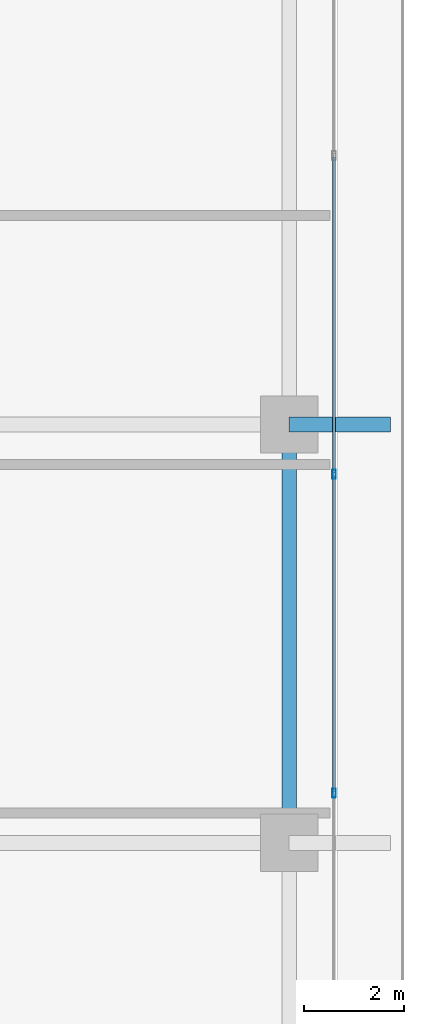
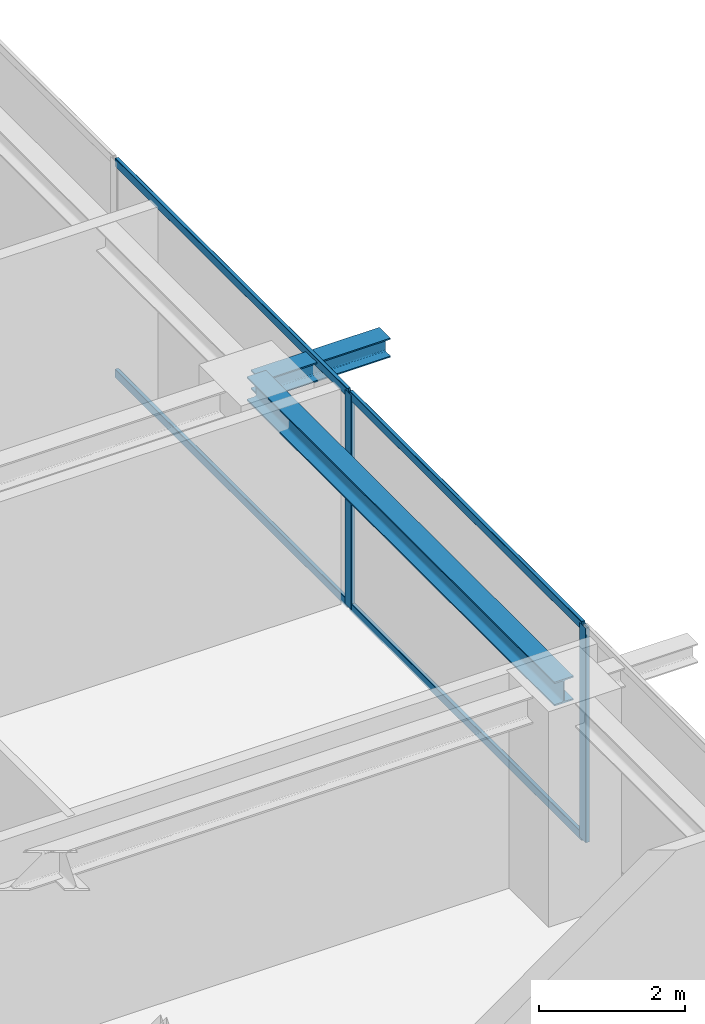
# One storey, part 16 of 40: 6 members, 2 beams, 1 element without a shape of its own.
"""IFC4 building model written with IfcOpenShell, lengths in metres."""

from ifc_helpers import new_model, si_unit, direction, frame, origin, origin_2d, place, context, subcontext, project, spatial, hollow_rectangle, i_section, extrude, source, transform, mapped, material, layer, layer_set, material_profile, profile_set, type_object, element, aggregate, save


model = new_model("IFC4")

# Units and contexts
model_context = context("Model", 3, precision=1e-05, world=origin(), true_north=direction((0.0, 1.0)))
body_context = subcontext(model_context, "Body", "Model", "MODEL_VIEW")
ifc_project = project(units=[si_unit("LENGTHUNIT", "METRE"), si_unit("AREAUNIT", "SQUARE_METRE"), si_unit("VOLUMEUNIT", "CUBIC_METRE"), si_unit("PLANEANGLEUNIT", "RADIAN"), si_unit("MASSUNIT", "GRAM", prefix="KILO")], contexts=[model_context])

# Site, building, storey
site_placement = place(None, origin())
site = spatial("IfcSite", under=ifc_project, at=site_placement, CompositionType="ELEMENT")
building_placement = place(site_placement, origin())
building = spatial("IfcBuilding", under=site, at=building_placement, Name="Serunith Strait Residences", CompositionType="ELEMENT")
storey_placement = place(building_placement, frame((0.0, 0.0, 252.800048828125)))
storey = spatial("IfcBuildingStorey", under=building, at=storey_placement, Name="L63", CompositionType="ELEMENT", Elevation=252.800048828125)

# Beams
ifc_material_1 = material(Name="Steel S355J2", Category="steel")
ifc_material_profile_1 = material_profile(ifc_material_1, i_section(OverallWidth=0.300048828125, OverallDepth=0.39990234375, WebThickness=0.013427734375, FlangeThickness=0.02392578125, FilletRadius=0.027099609375, at=origin_2d()), Name="HEB 400")
ifc_profile_set_1 = profile_set([ifc_material_profile_1], Name="Steel S355J2")
beam_type_1 = type_object("IfcBeamType", Name="BM-HEB400", PredefinedType="BEAM", material=ifc_profile_set_1)
shared_shape_1 = source(origin(), body_context, "Body", "SweptSolid", [
    extrude(i_section(OverallWidth=0.300048828125, OverallDepth=0.39990234375, WebThickness=0.013427734375, FlangeThickness=0.02392578125, FilletRadius=0.027099609375, at=origin_2d()), origin(), (0.0, 0.0, 1.0), 8.39990234375),
])
beam_1_placement = place(storey_placement, frame((56.5, 21.0, 3.386962890625), z_axis=(0.0, 1.0, 0.0), x_axis=(-1.0, 0.0, 0.0)))
element("IfcBeam", 1, at=beam_1_placement, inside=storey, type_object=beam_type_1, Name="L63 Perimeter Ring Beam 06", PredefinedType="BEAM", context=body_context, shape_type="MappedRepresentation", body=[
    mapped(shared_shape_1, transform((0.0, 0.0, 0.0), scale=1.0)),
])
ifc_material_profile_2 = material_profile(ifc_material_1, i_section(OverallWidth=0.300048828125, OverallDepth=0.320068359375, WebThickness=0.011474609375, FlangeThickness=0.0205078125, FilletRadius=0.027099609375, at=origin_2d()), Name="HEB 320")
ifc_profile_set_2 = profile_set([ifc_material_profile_2], Name="Steel S355J2")
beam_type_2 = type_object("IfcBeamType", Name="BM-HEB320", PredefinedType="BEAM", material=ifc_profile_set_2)
shared_shape_2 = source(origin(), body_context, "Body", "SweptSolid", [
    extrude(i_section(OverallWidth=0.300048828125, OverallDepth=0.320068359375, WebThickness=0.011474609375, FlangeThickness=0.0205078125, FilletRadius=0.027099609375, at=origin_2d()), origin(), (0.0, 0.0, 1.0), 2.030029296875),
])
beam_2_placement = place(storey_placement, frame((56.5, 29.39990234375, 3.39697265625), z_axis=(1.0, 0.0, 0.0), x_axis=(0.0, 1.0, 0.0)))
element("IfcBeam", 2, at=beam_2_placement, inside=storey, type_object=beam_type_2, Name="L64 Cantilevered Balcony Rib TC-E3", PredefinedType="BEAM", context=body_context, shape_type="MappedRepresentation", body=[
    mapped(shared_shape_2, transform((0.0, 0.0, 0.0), scale=1.0)),
])

# Curtain wall, members
ifc_material_2 = material(Name="Pale-Champagne Anodised Aluminium", Category="aluminium")
ifc_layer = layer(ifc_material_2, 0.199951171875, Name="Pale-Champagne Anodised Aluminium")
ifc_layer_set = layer_set([ifc_layer], Name="Pale-Champagne Anodised Aluminium")
curtain_wall_type = type_object("IfcCurtainWallType", Name="CW-SYS4", PredefinedType="NOTDEFINED", material=ifc_layer_set)
curtain_wall_placement = place(storey_placement, origin())
curtain_wall = element("IfcCurtainWall", 3, at=curtain_wall_placement, inside=storey, type_object=curtain_wall_type, Name="L63 E Unitised Fritted Curtain Wall", PredefinedType="NOTDEFINED")
ifc_material_profile_3 = material_profile(ifc_material_2, hollow_rectangle(XDim=0.06494140625, YDim=0.179931640625, WallThickness=0.00341796875, InnerFilletRadius=0.00537109375, OuterFilletRadius=0.0087890625, at=origin_2d()), Name="ALU 180x65x3.5")
ifc_profile_set_3 = profile_set([ifc_material_profile_3], Name="Pale-Champagne Anodised Aluminium")
member_type_1 = type_object("IfcMemberType", Name="CW-SYS4-MULL", PredefinedType="MULLION", material=ifc_profile_set_3)
shared_shape_3 = source(origin(), body_context, "Body", "SweptSolid", [
    extrude(hollow_rectangle(XDim=0.06494140625, YDim=0.179931640625, WallThickness=0.00341796875, InnerFilletRadius=0.00537109375, OuterFilletRadius=0.0087890625, at=origin_2d()), origin(), (0.0, 0.0, 1.0), 3.574951171875),
])
member_1_placement = place(storey_placement, frame((57.39990234375, 22.0, 0.0), z_axis=(0.0, 0.0, 1.0), x_axis=(-1.0, 0.0, 0.0)))
member_1 = element("IfcMember", 4, at=member_1_placement, type_object=member_type_1, Name="CW-4 mullion 3", PredefinedType="MULLION", context=body_context, shape_type="MappedRepresentation", body=[
    mapped(shared_shape_3, transform((0.0, 0.0, 0.0), scale=1.0)),
])
member_2_placement = place(storey_placement, frame((57.39990234375, 28.39990234375, 0.0), z_axis=(0.0, 0.0, 1.0), x_axis=(-1.0, 0.0, 0.0)))
member_2 = element("IfcMember", 5, at=member_2_placement, type_object=member_type_1, Name="CW-4 mullion 4", PredefinedType="MULLION", context=body_context, shape_type="MappedRepresentation", body=[
    mapped(shared_shape_3, transform((0.0, 0.0, 0.0), scale=1.0)),
])
ifc_material_profile_4 = material_profile(ifc_material_2, hollow_rectangle(XDim=0.06005859375, YDim=0.139892578125, WallThickness=0.00341796875, InnerFilletRadius=0.00537109375, OuterFilletRadius=0.0087890625, at=origin_2d()), Name="ALU 140x60x3.5")
ifc_profile_set_4 = profile_set([ifc_material_profile_4], Name="Pale-Champagne Anodised Aluminium")
member_type_2 = type_object("IfcMemberType", Name="CW-SYS4-TRAN", PredefinedType="USERDEFINED", material=ifc_profile_set_4)
shared_shape_4 = source(origin(), body_context, "Body", "SweptSolid", [
    extrude(hollow_rectangle(XDim=0.06005859375, YDim=0.139892578125, WallThickness=0.00341796875, InnerFilletRadius=0.00537109375, OuterFilletRadius=0.0087890625, at=origin_2d()), origin(), (0.0, 0.0, 1.0), 6.3349609375),
])
member_3_placement = place(storey_placement, frame((57.39990234375, 22.032470703125, 0.030029296875), z_axis=(0.0, 1.0, 0.0), x_axis=(-1.0, 0.0, 0.0)))
member_3 = element("IfcMember", 6, at=member_3_placement, type_object=member_type_2, Name="CW-4 transom 3.1", ObjectType="TRANSOM", PredefinedType="USERDEFINED", context=body_context, shape_type="MappedRepresentation", body=[
    mapped(shared_shape_4, transform((0.0, 0.0, 0.0), scale=1.0)),
])
member_4_placement = place(storey_placement, frame((57.39990234375, 22.032470703125, 3.544921875), z_axis=(0.0, 1.0, 0.0), x_axis=(-1.0, 0.0, 0.0)))
member_4 = element("IfcMember", 7, at=member_4_placement, type_object=member_type_2, Name="CW-4 transom 3.2", ObjectType="TRANSOM", PredefinedType="USERDEFINED", context=body_context, shape_type="MappedRepresentation", body=[
    mapped(shared_shape_4, transform((0.0, 0.0, 0.0), scale=1.0)),
])
member_5_placement = place(storey_placement, frame((57.39990234375, 28.4326171875, 0.030029296875), z_axis=(0.0, 1.0, 0.0), x_axis=(-1.0, 0.0, 0.0)))
member_5 = element("IfcMember", 8, at=member_5_placement, type_object=member_type_2, Name="CW-4 transom 4.1", ObjectType="TRANSOM", PredefinedType="USERDEFINED", context=body_context, shape_type="MappedRepresentation", body=[
    mapped(shared_shape_4, transform((0.0, 0.0, 0.0), scale=1.0)),
])
member_6_placement = place(storey_placement, frame((57.39990234375, 28.4326171875, 3.544921875), z_axis=(0.0, 1.0, 0.0), x_axis=(-1.0, 0.0, 0.0)))
member_6 = element("IfcMember", 9, at=member_6_placement, type_object=member_type_2, Name="CW-4 transom 4.2", ObjectType="TRANSOM", PredefinedType="USERDEFINED", context=body_context, shape_type="MappedRepresentation", body=[
    mapped(shared_shape_4, transform((0.0, 0.0, 0.0), scale=1.0)),
])
aggregate(curtain_wall, [member_1, member_2, member_3, member_4, member_5, member_6])

save(model, "model.ifc")
